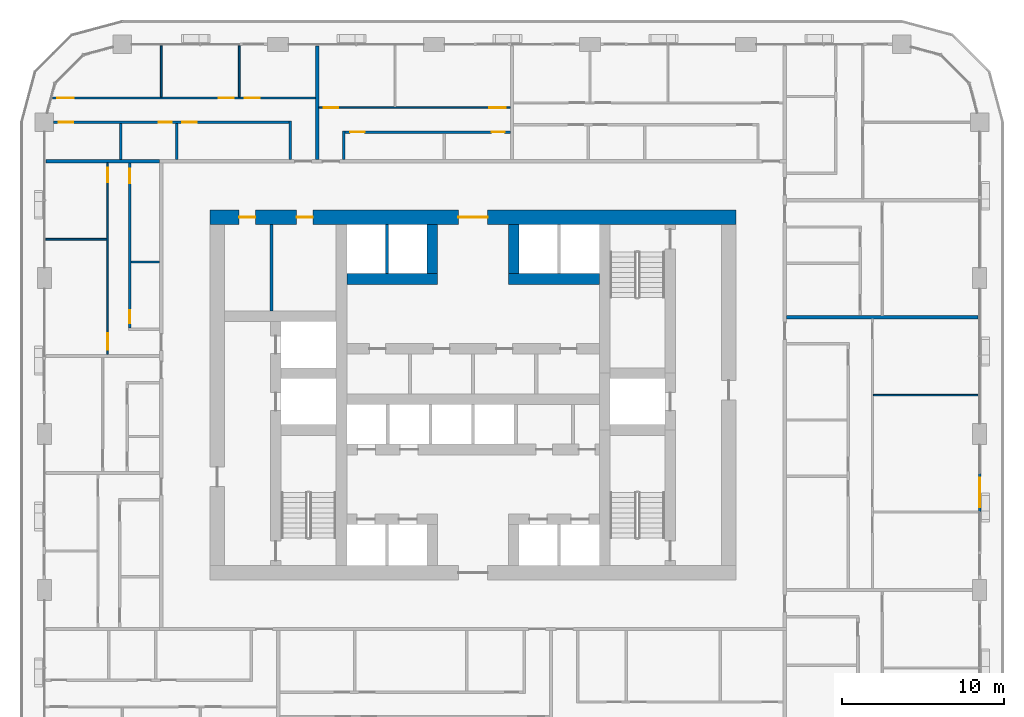
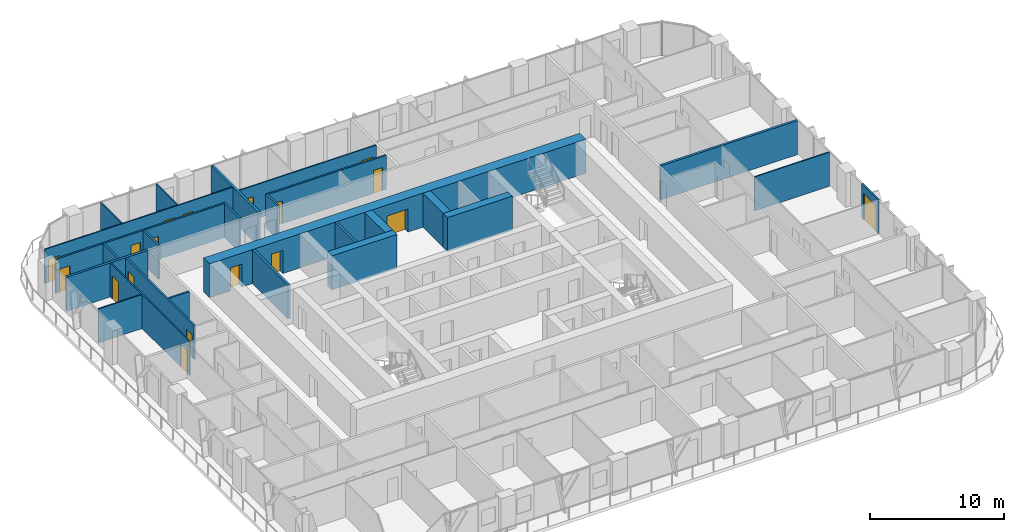
# One storey, part 13 of 21: 26 walls, 18 doors, 18 openings.
"""IFC4 building model written with IfcOpenShell, lengths in metres."""

from ifc_helpers import new_model, si_unit, direction, frame, frame_2d, origin, place, context, subcontext, project, spatial, rectangle, extrude, material, layer, layer_set, type_object, element, fill, save


model = new_model("IFC4")

# Units and contexts
model_context = context("Model", 3, precision=1e-05, world=origin(), true_north=direction((0.0, 1.0)))
body_context = subcontext(model_context, "Body", "Model", "MODEL_VIEW")
ifc_project = project(units=[si_unit("LENGTHUNIT", "METRE"), si_unit("AREAUNIT", "SQUARE_METRE"), si_unit("VOLUMEUNIT", "CUBIC_METRE"), si_unit("PLANEANGLEUNIT", "RADIAN"), si_unit("MASSUNIT", "GRAM", prefix="KILO")], contexts=[model_context])

# Site, building, storey
site_placement = place(None, origin())
site = spatial("IfcSite", under=ifc_project, at=site_placement, CompositionType="ELEMENT")
building_placement = place(site_placement, origin())
building = spatial("IfcBuilding", under=site, at=building_placement, Name="Madar Terraces", CompositionType="ELEMENT")
storey_placement = place(building_placement, frame((0.0, 0.0, 80.300048828125)))
storey = spatial("IfcBuildingStorey", under=building, at=storey_placement, Name="L20", CompositionType="ELEMENT", Elevation=80.300048828125)

# Walls
ifc_material_1 = material(Name="Concrete C80/95", Category="concrete")
ifc_layer_1 = layer(ifc_material_1, 0.64990234375)
ifc_layer_set_1 = layer_set([ifc_layer_1], Name="Concrete C80/95 (CIW2 RC wall 650)")
wall_type_1 = type_object("IfcWallType", Name="CIW2 RC wall 650", PredefinedType="SHEAR", material=ifc_layer_set_1)
wall_1_placement = place(storey_placement, frame((23.425048828125, 33.550048828125, 0.0), z_axis=(0.0, 0.0, 1.0), x_axis=(1.0, 0.0, 0.0)))
element("IfcWall", 1, at=wall_1_placement, inside=storey, type_object=wall_type_1, Name="CORE SHAFT WALL", PredefinedType="SHEAR", context=body_context, shape_type="SweptSolid", body=[
    extrude(rectangle(XDim=5.599853515625, YDim=0.64990234375, at=frame_2d((2.7998046875, 0.0))), origin(), (0.0, 0.0, 1.0), 3.099853515625),
])
wall_2_placement = place(storey_placement, frame((33.375, 33.550048828125, 0.0), z_axis=(0.0, 0.0, 1.0), x_axis=(1.0, 0.0, 0.0)))
element("IfcWall", 2, at=wall_2_placement, inside=storey, type_object=wall_type_1, Name="CORE SHAFT WALL", PredefinedType="SHEAR", context=body_context, shape_type="SweptSolid", body=[
    extrude(rectangle(XDim=5.60009765625, YDim=0.64990234375, at=frame_2d((2.800048828125, 0.0))), origin(), (0.0, 0.0, 1.0), 3.099853515625),
])
for number, where, z_axis, x_axis, name in (
    (3, (28.699951171875, 33.875, 0.0), (0.0, 0.0, 1.0), (0.0, 1.0, 0.0), "CORE SHAFT WALL"),
    (4, (33.699951171875, 33.875, 0.0), (0.0, 0.0, 1.0), (0.0, 1.0, 0.0), "CORE SHAFT WALL"),
):
    element("IfcWall", number, at=place(storey_placement, frame(where, z_axis=z_axis, x_axis=x_axis)), inside=storey, type_object=wall_type_1, Name=name, PredefinedType="SHEAR", context=body_context, shape_type="SweptSolid", body=[
        extrude(rectangle(XDim=3.02490234375, YDim=0.64990234375, at=frame_2d((1.512451171875, 0.0))), origin(), (0.0, 0.0, 1.0), 3.099853515625),
    ])

# Wall, openings, doors
ifc_material_2 = material(Name="Concrete C80/95", Category="concrete")
ifc_layer_2 = layer(ifc_material_2, 0.89990234375)
ifc_layer_set_2 = layer_set([ifc_layer_2], Name="Concrete C80/95 (CRW2 RC wall 900)")
wall_type_2 = type_object("IfcWallType", Name="CRW2 RC wall 900", PredefinedType="SHEAR", material=ifc_layer_set_2)
wall_3_placement = place(storey_placement, frame((15.0, 37.35009765625, 0.0), z_axis=(0.0, 0.0, 1.0), x_axis=(1.0, 0.0, 0.0)))
wall_3 = element("IfcWall", 5, at=wall_3_placement, inside=storey, type_object=wall_type_2, Name="CORE OUTER WALL", PredefinedType="SHEAR", context=body_context, shape_type="SweptSolid", body=[
    extrude(rectangle(XDim=32.39990234375, YDim=0.89990234375, at=frame_2d((16.199951171875, 0.0))), origin(), (0.0, 0.0, 1.0), 3.099853515625),
])
opening_1_placement = place(wall_3_placement, frame((15.300048828125, 0.0, 0.0)))
opening_1 = element("IfcOpeningElement", 6, at=opening_1_placement, cuts=wall_3, Name="Opening KD1", PredefinedType="OPENING", context=body_context, shape_type="SweptSolid", body=[
    extrude(rectangle(XDim=1.800048828125, YDim=2.10009765625, at=frame_2d((0.89990234375, 1.050048828125))), frame((0.0, 0.4599609375, 0.0), z_axis=(0.0, -1.0, 0.0), x_axis=(1.0, 0.0, 0.0)), (0.0, 0.0, 1.0), 0.919921875),
])
opening_2_placement = place(wall_3_placement, frame((1.793701171875, 0.0, 0.0)))
opening_2 = element("IfcOpeningElement", 7, at=opening_2_placement, cuts=wall_3, Name="Opening KD2", PredefinedType="OPENING", context=body_context, shape_type="SweptSolid", body=[
    extrude(rectangle(XDim=1.0, YDim=2.10009765625, at=frame_2d((0.5, 1.050048828125))), frame((0.0, 0.4599609375, 0.0), z_axis=(0.0, -1.0, 0.0), x_axis=(1.0, 0.0, 0.0)), (0.0, 0.0, 1.0), 0.919921875),
])
opening_3_placement = place(wall_3_placement, frame((5.331298828125, 0.0, 0.0)))
opening_3 = element("IfcOpeningElement", 8, at=opening_3_placement, cuts=wall_3, Name="Opening KD2", PredefinedType="OPENING", context=body_context, shape_type="SweptSolid", body=[
    extrude(rectangle(XDim=1.0, YDim=2.10009765625, at=frame_2d((0.5, 1.050048828125))), frame((0.0, 0.4599609375, 0.0), z_axis=(0.0, -1.0, 0.0), x_axis=(1.0, 0.0, 0.0)), (0.0, 0.0, 1.0), 0.919921875),
])
ifc_material_3 = material(Name="Steel door leaf", Category="steel")
door_type_1 = type_object("IfcDoorType", Name="Lobby door pair 1800 x 2100", OperationType="DOUBLE_DOOR_SINGLE_SWING", PredefinedType="DOOR", material=ifc_material_3)
door_1_placement = place(opening_1_placement, origin())
door_1 = element("IfcDoor", 9, at=door_1_placement, inside=storey, type_object=door_type_1, Name="LIFT LOBBY DOOR", OperationType="DOUBLE_DOOR_SINGLE_SWING", OverallHeight=2.10009765625, OverallWidth=1.800048828125, PredefinedType="DOOR", context=body_context, shape_type="SweptSolid", body=[
    extrude(rectangle(XDim=1.800048828125, YDim=2.10009765625, at=frame_2d((0.89990234375, 1.050048828125))), frame((0.0, 0.02490234375, 0.0), z_axis=(0.0, -1.0, 0.0), x_axis=(1.0, 0.0, 0.0)), (0.0, 0.0, 1.0), 0.050048828125),
])
fill(opening_1, door_1)
ifc_material_4 = material(Name="Steel door leaf", Category="steel")
door_type_2 = type_object("IfcDoorType", Name="Service room door 1000 x 2100", OperationType="NOTDEFINED", PredefinedType="DOOR", material=ifc_material_4)
door_2_placement = place(opening_2_placement, origin())
door_2 = element("IfcDoor", 10, at=door_2_placement, inside=storey, type_object=door_type_2, Name="SERVICE ROOM DOOR", OperationType="SINGLE_SWING_LEFT", OverallHeight=2.10009765625, OverallWidth=1.0, PredefinedType="DOOR", context=body_context, shape_type="SweptSolid", body=[
    extrude(rectangle(XDim=1.0, YDim=2.10009765625, at=frame_2d((0.5, 1.050048828125))), frame((0.0, 0.02490234375, 0.0), z_axis=(0.0, -1.0, 0.0), x_axis=(1.0, 0.0, 0.0)), (0.0, 0.0, 1.0), 0.050048828125),
])
fill(opening_2, door_2)
door_3_placement = place(opening_3_placement, origin())
door_3 = element("IfcDoor", 11, at=door_3_placement, inside=storey, type_object=door_type_2, Name="SERVICE ROOM DOOR", OperationType="SINGLE_SWING_RIGHT", OverallHeight=2.10009765625, OverallWidth=1.0, PredefinedType="DOOR", context=body_context, shape_type="SweptSolid", body=[
    extrude(rectangle(XDim=1.0, YDim=2.10009765625, at=frame_2d((0.5, 1.050048828125))), frame((0.0, 0.02490234375, 0.0), z_axis=(0.0, -1.0, 0.0), x_axis=(1.0, 0.0, 0.0)), (0.0, 0.0, 1.0), 0.050048828125),
])
fill(opening_3, door_3)

# Walls
ifc_material_5 = material(Name="Masonry blockwork", Category="masonry")
ifc_layer_3 = layer(ifc_material_5, 0.199951171875)
ifc_layer_set_3 = layer_set([ifc_layer_3], Name="Core partition 200 blockwork")
wall_type_3 = type_object("IfcWallType", Name="Core partition 200 blockwork", PredefinedType="PARTITIONING", material=ifc_layer_set_3)
wall_4_placement = place(storey_placement, frame((18.78759765625, 31.574951171875, 0.0), z_axis=(0.0, 0.0, 1.0), x_axis=(0.0, 1.0, 0.0)))
element("IfcWall", 12, at=wall_4_placement, inside=storey, type_object=wall_type_3, Name="SERVICE ROOM PARTITION", PredefinedType="PARTITIONING", context=body_context, shape_type="SweptSolid", body=[
    extrude(rectangle(XDim=5.324951171875, YDim=0.199951171875, at=frame_2d((2.66259765625, 0.0))), origin(), (0.0, 0.0, 1.0), 3.099853515625),
])
ifc_material_6 = material(Name="Concrete C40/50", Category="concrete")
ifc_layer_4 = layer(ifc_material_6, 0.199951171875)
ifc_layer_set_4 = layer_set([ifc_layer_4], Name="Core shaft dividing wall 200 C40/50")
wall_type_4 = type_object("IfcWallType", Name="Core shaft dividing wall 200 C40/50", PredefinedType="SOLIDWALL", material=ifc_layer_set_4)
wall_5_placement = place(storey_placement, frame((25.89990234375, 33.875, 0.0), z_axis=(0.0, 0.0, 1.0), x_axis=(0.0, 1.0, 0.0)))
element("IfcWall", 13, at=wall_5_placement, inside=storey, type_object=wall_type_4, Name="SHAFT DIVIDING WALL", PredefinedType="SOLIDWALL", context=body_context, shape_type="SweptSolid", body=[
    extrude(rectangle(XDim=3.02490234375, YDim=0.199951171875, at=frame_2d((1.512451171875, 0.0))), origin(), (0.0, 0.0, 1.0), 3.099853515625),
])

# Wall, opening, door
ifc_material_7 = material(Name="Aluminium composite panel, black, over insulated backing", Category="aluminium")
ifc_layer_5 = layer(ifc_material_7, 0.14990234375)
ifc_layer_set_5 = layer_set([ifc_layer_5], Name="Facade bay panel 150")
wall_type_5 = type_object("IfcWallType", Name="Facade bay panel 150", PredefinedType="SOLIDWALL", material=ifc_layer_set_5)
wall_6_placement = place(storey_placement, frame((62.39990234375, 19.199951171875, 0.0), z_axis=(0.0, 0.0, 1.0), x_axis=(0.0, 1.0, 0.0)))
wall_6 = element("IfcWall", 14, at=wall_6_placement, inside=storey, type_object=wall_type_5, Name="Facade bay panel", PredefinedType="SOLIDWALL", context=body_context, shape_type="SweptSolid", body=[
    extrude(rectangle(XDim=2.400146484375, YDim=0.14990234375, at=frame_2d((1.2001953125, 0.0))), origin(), (0.0, 0.0, 1.0), 3.099853515625),
])
opening_4_placement = place(wall_6_placement, frame((0.300048828125, 0.0, 0.0)))
opening_4 = element("IfcOpeningElement", 15, at=opening_4_placement, cuts=wall_6, Name="Opening ED1", PredefinedType="OPENING", context=body_context, shape_type="SweptSolid", body=[
    extrude(rectangle(XDim=1.800048828125, YDim=2.39990234375, at=frame_2d((0.89990234375, 1.199951171875))), frame((0.0, 0.0849609375, 0.0), z_axis=(0.0, -1.0, 0.0), x_axis=(1.0, 0.0, 0.0)), (0.0, 0.0, 1.0), 0.169921875),
])
ifc_material_8 = material(Name="Glass, clear, with black aluminium frame", Category="aluminium")
door_type_3 = type_object("IfcDoorType", Name="Balcony and terrace sliding door 1800 x 2400", OperationType="SLIDING_TO_LEFT", PredefinedType="DOOR", material=ifc_material_8)
door_4_placement = place(opening_4_placement, origin())
door_4 = element("IfcDoor", 16, at=door_4_placement, inside=storey, type_object=door_type_3, Name="Balcony door", OperationType="SLIDING_TO_RIGHT", OverallHeight=2.39990234375, OverallWidth=1.800048828125, PredefinedType="DOOR", context=body_context, shape_type="SweptSolid", body=[
    extrude(rectangle(XDim=1.800048828125, YDim=2.39990234375, at=frame_2d((0.89990234375, 1.199951171875))), frame((0.0, 0.02490234375, 0.0), z_axis=(0.0, -1.0, 0.0), x_axis=(1.0, 0.0, 0.0)), (0.0, 0.0, 1.0), 0.050048828125),
])
fill(opening_4, door_4)

# Wall
ifc_material_9 = material(Name="Gypsum board on steel studs", Category="steel")
ifc_layer_6 = layer(ifc_material_9, 0.10009765625)
ifc_layer_set_6 = layer_set([ifc_layer_6], Name="Flat partition 100")
wall_type_6 = type_object("IfcWallType", Name="Flat partition 100", PredefinedType="PARTITIONING", material=ifc_layer_set_6)
wall_7_placement = place(storey_placement, frame((55.85009765625, 26.39990234375, 0.0), z_axis=(0.0, 0.0, 1.0), x_axis=(1.0, 0.0, 0.0)))
element("IfcWall", 17, at=wall_7_placement, inside=storey, type_object=wall_type_6, Name="Flat partition 100", PredefinedType="PARTITIONING", context=body_context, shape_type="SweptSolid", body=[
    extrude(rectangle(XDim=6.449951171875, YDim=0.10009765625, at=frame_2d((3.22509765625, 0.0))), origin(), (0.0, 0.0, 1.0), 3.099853515625),
])

# Wall, openings, doors
wall_8_placement = place(storey_placement, frame((21.699951171875, 44.10009765625, 0.0), z_axis=(0.0, 0.0, 1.0), x_axis=(1.0, 0.0, 0.0)))
wall_8 = element("IfcWall", 18, at=wall_8_placement, inside=storey, type_object=wall_type_6, Name="Flat partition 100", PredefinedType="PARTITIONING", context=body_context, shape_type="SweptSolid", body=[
    extrude(rectangle(XDim=11.800048828125, YDim=0.10009765625, at=frame_2d((5.89990234375, 0.0))), origin(), (0.0, 0.0, 1.0), 3.099853515625),
])
opening_5_placement = place(wall_8_placement, frame((0.300048828125, 0.0, 0.0)))
opening_5 = element("IfcOpeningElement", 19, at=opening_5_placement, cuts=wall_8, Name="Opening D2", PredefinedType="OPENING", context=body_context, shape_type="SweptSolid", body=[
    extrude(rectangle(XDim=0.89990234375, YDim=2.10009765625, at=frame_2d((0.449951171875, 1.050048828125))), frame((0.0, 0.06005859375, 0.0), z_axis=(0.0, -1.0, 0.0), x_axis=(1.0, 0.0, 0.0)), (0.0, 0.0, 1.0), 0.1201171875),
])
opening_6_placement = place(wall_8_placement, frame((10.5, 0.0, 0.0)))
opening_6 = element("IfcOpeningElement", 20, at=opening_6_placement, cuts=wall_8, Name="Opening D3", PredefinedType="OPENING", context=body_context, shape_type="SweptSolid", body=[
    extrude(rectangle(XDim=1.0, YDim=2.10009765625, at=frame_2d((0.5, 1.050048828125))), frame((0.0, 0.06005859375, 0.0), z_axis=(0.0, -1.0, 0.0), x_axis=(1.0, 0.0, 0.0)), (0.0, 0.0, 1.0), 0.1201171875),
])
ifc_material_10 = material(Name="Timber door leaf", Category="wood")
door_type_4 = type_object("IfcDoorType", Name="Flat living room door 1000", OperationType="NOTDEFINED", PredefinedType="DOOR", material=ifc_material_10)
door_5_placement = place(opening_6_placement, origin())
door_5 = element("IfcDoor", 21, at=door_5_placement, inside=storey, type_object=door_type_4, Name="Flat living room door 1000", OperationType="SINGLE_SWING_RIGHT", OverallHeight=2.10009765625, OverallWidth=1.0, PredefinedType="DOOR", context=body_context, shape_type="SweptSolid", body=[
    extrude(rectangle(XDim=1.0, YDim=2.10009765625, at=frame_2d((0.5, 1.050048828125))), frame((0.0, 0.02490234375, 0.0), z_axis=(0.0, -1.0, 0.0), x_axis=(1.0, 0.0, 0.0)), (0.0, 0.0, 1.0), 0.050048828125),
])
fill(opening_6, door_5)
ifc_material_11 = material(Name="Timber door leaf", Category="wood")
door_type_5 = type_object("IfcDoorType", Name="Flat room door 900", OperationType="NOTDEFINED", PredefinedType="DOOR", material=ifc_material_11)
door_6_placement = place(opening_5_placement, origin())
door_6 = element("IfcDoor", 22, at=door_6_placement, inside=storey, type_object=door_type_5, Name="Flat room door 900", OperationType="SINGLE_SWING_LEFT", OverallHeight=2.10009765625, OverallWidth=0.89990234375, PredefinedType="DOOR", context=body_context, shape_type="SweptSolid", body=[
    extrude(rectangle(XDim=0.89990234375, YDim=2.10009765625, at=frame_2d((0.449951171875, 1.050048828125))), frame((0.0, 0.02490234375, 0.0), z_axis=(0.0, -1.0, 0.0), x_axis=(1.0, 0.0, 0.0)), (0.0, 0.0, 1.0), 0.050048828125),
])
fill(opening_5, door_6)

# Walls
for number, where, z_axis, x_axis, name in (
    (23, (16.800048828125, 44.75, 0.0), (0.0, 0.0, 1.0), (0.0, 1.0, 0.0), "Flat partition 100"),
    (24, (12.0, 44.75, 0.0), (0.0, 0.0, 1.0), (0.0, 1.0, 0.0), "Flat partition 100"),
):
    element("IfcWall", number, at=place(storey_placement, frame(where, z_axis=z_axis, x_axis=x_axis)), inside=storey, type_object=wall_type_6, Name=name, PredefinedType="PARTITIONING", context=body_context, shape_type="SweptSolid", body=[
        extrude(rectangle(XDim=3.14990234375, YDim=0.10009765625, at=frame_2d((1.574951171875, 0.0))), origin(), (0.0, 0.0, 1.0), 3.099853515625),
    ])

# Wall, openings, doors
wall_9_placement = place(storey_placement, frame((5.302001953125, 44.699951171875, 0.0), z_axis=(0.0, 0.0, 1.0), x_axis=(1.0, 0.0, 0.0)))
wall_9 = element("IfcWall", 25, at=wall_9_placement, inside=storey, type_object=wall_type_6, Name="Flat partition 100", PredefinedType="PARTITIONING", context=body_context, shape_type="SweptSolid", body=[
    extrude(rectangle(XDim=16.197998046875, YDim=0.10009765625, at=frame_2d((8.09912109375, 0.0))), origin(), (0.0, 0.0, 1.0), 3.099853515625),
])
opening_7_placement = place(wall_9_placement, frame((11.84814453125, 0.0, 0.0)))
opening_7 = element("IfcOpeningElement", 26, at=opening_7_placement, cuts=wall_9, Name="Opening D2", PredefinedType="OPENING", context=body_context, shape_type="SweptSolid", body=[
    extrude(rectangle(XDim=0.89990234375, YDim=2.10009765625, at=frame_2d((0.449951171875, 1.050048828125))), frame((0.0, 0.06005859375, 0.0), z_axis=(0.0, -1.0, 0.0), x_axis=(1.0, 0.0, 0.0)), (0.0, 0.0, 1.0), 0.1201171875),
])
opening_8_placement = place(wall_9_placement, frame((10.248046875, 0.0, 0.0)))
opening_8 = element("IfcOpeningElement", 27, at=opening_8_placement, cuts=wall_9, Name="Opening D2", PredefinedType="OPENING", context=body_context, shape_type="SweptSolid", body=[
    extrude(rectangle(XDim=0.89990234375, YDim=2.10009765625, at=frame_2d((0.449951171875, 1.050048828125))), frame((0.0, 0.06005859375, 0.0), z_axis=(0.0, -1.0, 0.0), x_axis=(1.0, 0.0, 0.0)), (0.0, 0.0, 1.0), 0.1201171875),
])
opening_9_placement = place(wall_9_placement, frame((0.300048828125, 0.0, 0.0)))
opening_9 = element("IfcOpeningElement", 28, at=opening_9_placement, cuts=wall_9, Name="Opening D3", PredefinedType="OPENING", context=body_context, shape_type="SweptSolid", body=[
    extrude(rectangle(XDim=1.0, YDim=2.10009765625, at=frame_2d((0.5, 1.050048828125))), frame((0.0, 0.06005859375, 0.0), z_axis=(0.0, -1.0, 0.0), x_axis=(1.0, 0.0, 0.0)), (0.0, 0.0, 1.0), 0.1201171875),
])
door_7_placement = place(opening_9_placement, origin())
door_7 = element("IfcDoor", 29, at=door_7_placement, inside=storey, type_object=door_type_4, Name="Flat living room door 1000", OperationType="SINGLE_SWING_LEFT", OverallHeight=2.10009765625, OverallWidth=1.0, PredefinedType="DOOR", context=body_context, shape_type="SweptSolid", body=[
    extrude(rectangle(XDim=1.0, YDim=2.10009765625, at=frame_2d((0.5, 1.050048828125))), frame((0.0, 0.02490234375, 0.0), z_axis=(0.0, -1.0, 0.0), x_axis=(1.0, 0.0, 0.0)), (0.0, 0.0, 1.0), 0.050048828125),
])
fill(opening_9, door_7)
door_8_placement = place(opening_7_placement, origin())
door_8 = element("IfcDoor", 30, at=door_8_placement, inside=storey, type_object=door_type_5, Name="Flat room door 900", OperationType="SINGLE_SWING_LEFT", OverallHeight=2.10009765625, OverallWidth=0.89990234375, PredefinedType="DOOR", context=body_context, shape_type="SweptSolid", body=[
    extrude(rectangle(XDim=0.89990234375, YDim=2.10009765625, at=frame_2d((0.449951171875, 1.050048828125))), frame((0.0, 0.02490234375, 0.0), z_axis=(0.0, -1.0, 0.0), x_axis=(1.0, 0.0, 0.0)), (0.0, 0.0, 1.0), 0.050048828125),
])
fill(opening_7, door_8)
door_9_placement = place(opening_8_placement, origin())
door_9 = element("IfcDoor", 31, at=door_9_placement, inside=storey, type_object=door_type_5, Name="Flat room door 900", OperationType="SINGLE_SWING_RIGHT", OverallHeight=2.10009765625, OverallWidth=0.89990234375, PredefinedType="DOOR", context=body_context, shape_type="SweptSolid", body=[
    extrude(rectangle(XDim=0.89990234375, YDim=2.10009765625, at=frame_2d((0.449951171875, 1.050048828125))), frame((0.0, 0.02490234375, 0.0), z_axis=(0.0, -1.0, 0.0), x_axis=(1.0, 0.0, 0.0)), (0.0, 0.0, 1.0), 0.050048828125),
])
fill(opening_8, door_9)

# Wall
wall_10_placement = place(storey_placement, frame((8.64990234375, 36.0, 0.0), z_axis=(0.0, 0.0, 1.0), x_axis=(-1.0, 0.0, 0.0)))
element("IfcWall", 32, at=wall_10_placement, inside=storey, type_object=wall_type_6, Name="Flat partition 100", PredefinedType="PARTITIONING", context=body_context, shape_type="SweptSolid", body=[
    extrude(rectangle(XDim=3.75, YDim=0.10009765625, at=frame_2d((1.875, 0.0))), origin(), (0.0, 0.0, 1.0), 3.099853515625),
])

# Wall, openings, doors
wall_11_placement = place(storey_placement, frame((8.699951171875, 28.89990234375, 0.0), z_axis=(0.0, 0.0, 1.0), x_axis=(0.0, 1.0, 0.0)))
wall_11 = element("IfcWall", 33, at=wall_11_placement, inside=storey, type_object=wall_type_6, Name="Flat partition 100", PredefinedType="PARTITIONING", context=body_context, shape_type="SweptSolid", body=[
    extrude(rectangle(XDim=11.800048828125, YDim=0.10009765625, at=frame_2d((5.89990234375, 0.0))), origin(), (0.0, 0.0, 1.0), 3.099853515625),
])
opening_10_placement = place(wall_11_placement, frame((0.300048828125, 0.0, 0.0)))
opening_10 = element("IfcOpeningElement", 34, at=opening_10_placement, cuts=wall_11, Name="Opening D3", PredefinedType="OPENING", context=body_context, shape_type="SweptSolid", body=[
    extrude(rectangle(XDim=1.0, YDim=2.10009765625, at=frame_2d((0.5, 1.050048828125))), frame((0.0, 0.06005859375, 0.0), z_axis=(0.0, -1.0, 0.0), x_axis=(1.0, 0.0, 0.0)), (0.0, 0.0, 1.0), 0.1201171875),
])
opening_11_placement = place(wall_11_placement, frame((10.60009765625, 0.0, 0.0)))
opening_11 = element("IfcOpeningElement", 35, at=opening_11_placement, cuts=wall_11, Name="Opening D2", PredefinedType="OPENING", context=body_context, shape_type="SweptSolid", body=[
    extrude(rectangle(XDim=0.89990234375, YDim=2.10009765625, at=frame_2d((0.449951171875, 1.050048828125))), frame((0.0, 0.06005859375, 0.0), z_axis=(0.0, -1.0, 0.0), x_axis=(1.0, 0.0, 0.0)), (0.0, 0.0, 1.0), 0.1201171875),
])
door_10_placement = place(opening_10_placement, origin())
door_10 = element("IfcDoor", 36, at=door_10_placement, inside=storey, type_object=door_type_4, Name="Flat living room door 1000", OperationType="SINGLE_SWING_LEFT", OverallHeight=2.10009765625, OverallWidth=1.0, PredefinedType="DOOR", context=body_context, shape_type="SweptSolid", body=[
    extrude(rectangle(XDim=1.0, YDim=2.10009765625, at=frame_2d((0.5, 1.050048828125))), frame((0.0, 0.02490234375, 0.0), z_axis=(0.0, -1.0, 0.0), x_axis=(1.0, 0.0, 0.0)), (0.0, 0.0, 1.0), 0.050048828125),
])
fill(opening_10, door_10)
door_11_placement = place(opening_11_placement, origin())
door_11 = element("IfcDoor", 37, at=door_11_placement, inside=storey, type_object=door_type_5, Name="Flat room door 900", OperationType="SINGLE_SWING_RIGHT", OverallHeight=2.10009765625, OverallWidth=0.89990234375, PredefinedType="DOOR", context=body_context, shape_type="SweptSolid", body=[
    extrude(rectangle(XDim=0.89990234375, YDim=2.10009765625, at=frame_2d((0.449951171875, 1.050048828125))), frame((0.0, 0.02490234375, 0.0), z_axis=(0.0, -1.0, 0.0), x_axis=(1.0, 0.0, 0.0)), (0.0, 0.0, 1.0), 0.050048828125),
])
fill(opening_11, door_11)

# Walls
ifc_material_12 = material(Name="Lightweight blockwork", Category="masonry")
ifc_layer_7 = layer(ifc_material_12, 0.199951171875)
ifc_layer_set_7 = layer_set([ifc_layer_7], Name="Flat party and entrance wall 200")
wall_type_7 = type_object("IfcWallType", Name="Flat party and entrance wall 200", PredefinedType="PARTITIONING", material=ifc_layer_set_7)
wall_12_placement = place(storey_placement, frame((50.5, 31.199951171875, 0.0), z_axis=(0.0, 0.0, 1.0), x_axis=(1.0, 0.0, 0.0)))
element("IfcWall", 38, at=wall_12_placement, inside=storey, type_object=wall_type_7, Name="Flat party and entrance wall 200", PredefinedType="PARTITIONING", context=body_context, shape_type="SweptSolid", body=[
    extrude(rectangle(XDim=11.800048828125, YDim=0.199951171875, at=frame_2d((5.89990234375, 0.0))), origin(), (0.0, 0.0, 1.0), 3.099853515625),
])
for number, where, z_axis, x_axis, name in (
    (39, (21.60009765625, 47.89990234375, 0.0), (0.0, 0.0, 1.0), (0.0, -1.0, 0.0), "Flat party and entrance wall 200"),
    (40, (4.89990234375, 40.800048828125, 0.0), (0.0, 0.0, 1.0), (1.0, 0.0, 0.0), "Flat party and entrance wall 200"),
):
    element("IfcWall", number, at=place(storey_placement, frame(where, z_axis=z_axis, x_axis=x_axis)), inside=storey, type_object=wall_type_7, Name=name, PredefinedType="PARTITIONING", context=body_context, shape_type="SweptSolid", body=[
        extrude(rectangle(XDim=7.0, YDim=0.199951171875, at=frame_2d((3.5, 0.0))), origin(), (0.0, 0.0, 1.0), 3.099853515625),
    ])
ifc_material_13 = material(Name="Lightweight blockwork", Category="masonry")
ifc_layer_8 = layer(ifc_material_13, 0.14990234375)
ifc_layer_set_8 = layer_set([ifc_layer_8], Name="Flat wet-room partition 150")
wall_type_8 = type_object("IfcWallType", Name="Flat wet-room partition 150", PredefinedType="PARTITIONING", material=ifc_layer_set_8)
wall_13_placement = place(storey_placement, frame((23.25, 40.89990234375, 0.0), z_axis=(0.0, 0.0, 1.0), x_axis=(0.0, 1.0, 0.0)))
element("IfcWall", 41, at=wall_13_placement, inside=storey, type_object=wall_type_8, Name="Flat wet-room partition 150", PredefinedType="PARTITIONING", context=body_context, shape_type="SweptSolid", body=[
    extrude(rectangle(XDim=1.775146484375, YDim=0.14990234375, at=frame_2d((0.8876953125, 0.0))), origin(), (0.0, 0.0, 1.0), 3.099853515625),
])

# Wall, openings, doors
wall_14_placement = place(storey_placement, frame((33.5, 42.60009765625, 0.0), z_axis=(0.0, 0.0, 1.0), x_axis=(-1.0, 0.0, 0.0)))
wall_14 = element("IfcWall", 42, at=wall_14_placement, inside=storey, type_object=wall_type_8, Name="Flat wet-room partition 150", PredefinedType="PARTITIONING", context=body_context, shape_type="SweptSolid", body=[
    extrude(rectangle(XDim=10.175048828125, YDim=0.14990234375, at=frame_2d((5.08740234375, 0.0))), origin(), (0.0, 0.0, 1.0), 3.099853515625),
])
opening_12_placement = place(wall_14_placement, frame((8.97509765625, 0.0, 0.0)))
opening_12 = element("IfcOpeningElement", 43, at=opening_12_placement, cuts=wall_14, Name="Opening D2", PredefinedType="OPENING", context=body_context, shape_type="SweptSolid", body=[
    extrude(rectangle(XDim=0.89990234375, YDim=2.10009765625, at=frame_2d((0.449951171875, 1.050048828125))), frame((0.0, 0.0849609375, 0.0), z_axis=(0.0, -1.0, 0.0), x_axis=(1.0, 0.0, 0.0)), (0.0, 0.0, 1.0), 0.169921875),
])
opening_13_placement = place(wall_14_placement, frame((0.35009765625, 0.0, 0.0)))
opening_13 = element("IfcOpeningElement", 44, at=opening_13_placement, cuts=wall_14, Name="Opening D4", PredefinedType="OPENING", context=body_context, shape_type="SweptSolid", body=[
    extrude(rectangle(XDim=0.800048828125, YDim=2.10009765625, at=frame_2d((0.39990234375, 1.050048828125))), frame((0.0, 0.0849609375, 0.0), z_axis=(0.0, -1.0, 0.0), x_axis=(1.0, 0.0, 0.0)), (0.0, 0.0, 1.0), 0.169921875),
])
ifc_material_14 = material(Name="Timber door leaf", Category="wood")
door_type_6 = type_object("IfcDoorType", Name="Flat bathroom door 800", OperationType="NOTDEFINED", PredefinedType="DOOR", material=ifc_material_14)
door_12_placement = place(opening_13_placement, origin())
door_12 = element("IfcDoor", 45, at=door_12_placement, inside=storey, type_object=door_type_6, Name="Flat bathroom door 800", OperationType="SINGLE_SWING_LEFT", OverallHeight=2.10009765625, OverallWidth=0.800048828125, PredefinedType="DOOR", context=body_context, shape_type="SweptSolid", body=[
    extrude(rectangle(XDim=0.800048828125, YDim=2.10009765625, at=frame_2d((0.39990234375, 1.050048828125))), frame((0.0, 0.02490234375, 0.0), z_axis=(0.0, -1.0, 0.0), x_axis=(1.0, 0.0, 0.0)), (0.0, 0.0, 1.0), 0.050048828125),
])
fill(opening_13, door_12)
door_13_placement = place(opening_12_placement, origin())
door_13 = element("IfcDoor", 46, at=door_13_placement, inside=storey, type_object=door_type_5, Name="Flat room door 900", OperationType="SINGLE_SWING_RIGHT", OverallHeight=2.10009765625, OverallWidth=0.89990234375, PredefinedType="DOOR", context=body_context, shape_type="SweptSolid", body=[
    extrude(rectangle(XDim=0.89990234375, YDim=2.10009765625, at=frame_2d((0.449951171875, 1.050048828125))), frame((0.0, 0.02490234375, 0.0), z_axis=(0.0, -1.0, 0.0), x_axis=(1.0, 0.0, 0.0)), (0.0, 0.0, 1.0), 0.050048828125),
])
fill(opening_12, door_13)

# Walls
for number, where, z_axis, x_axis, name in (
    (47, (12.96337890625, 40.89990234375, 0.0), (0.0, 0.0, 1.0), (0.0, 1.0, 0.0), "Flat wet-room partition 150"),
    (48, (9.5078125, 40.89990234375, 0.0), (0.0, 0.0, 1.0), (0.0, 1.0, 0.0), "Flat wet-room partition 150"),
):
    element("IfcWall", number, at=place(storey_placement, frame(where, z_axis=z_axis, x_axis=x_axis)), inside=storey, type_object=wall_type_8, Name=name, PredefinedType="PARTITIONING", context=body_context, shape_type="SweptSolid", body=[
        extrude(rectangle(XDim=2.22509765625, YDim=0.14990234375, at=frame_2d((1.112548828125, 0.0))), origin(), (0.0, 0.0, 1.0), 3.099853515625),
    ])
wall_15_placement = place(storey_placement, frame((19.949951171875, 40.89990234375, 0.0), z_axis=(0.0, 0.0, 1.0), x_axis=(0.0, 1.0, 0.0)))
element("IfcWall", 49, at=wall_15_placement, inside=storey, type_object=wall_type_8, Name="Flat wet-room partition 150", PredefinedType="PARTITIONING", context=body_context, shape_type="SweptSolid", body=[
    extrude(rectangle(XDim=2.375, YDim=0.14990234375, at=frame_2d((1.1875, 0.0))), origin(), (0.0, 0.0, 1.0), 3.099853515625),
])

# Wall, openings, doors
wall_16_placement = place(storey_placement, frame((19.875, 43.199951171875, 0.0), z_axis=(0.0, 0.0, 1.0), x_axis=(-1.0, 0.0, 0.0)))
wall_16 = element("IfcWall", 50, at=wall_16_placement, inside=storey, type_object=wall_type_8, Name="Flat wet-room partition 150", PredefinedType="PARTITIONING", context=body_context, shape_type="SweptSolid", body=[
    extrude(rectangle(XDim=14.5, YDim=0.14990234375, at=frame_2d((7.25, 0.0))), origin(), (0.0, 0.0, 1.0), 3.099853515625),
])
opening_14_placement = place(wall_16_placement, frame((5.6865234375, 0.0, 0.0)))
opening_14 = element("IfcOpeningElement", 51, at=opening_14_placement, cuts=wall_16, Name="Opening D2", PredefinedType="OPENING", context=body_context, shape_type="SweptSolid", body=[
    extrude(rectangle(XDim=0.89990234375, YDim=2.10009765625, at=frame_2d((0.449951171875, 1.050048828125))), frame((0.0, 0.0849609375, 0.0), z_axis=(0.0, -1.0, 0.0), x_axis=(1.0, 0.0, 0.0)), (0.0, 0.0, 1.0), 0.169921875),
])
opening_15_placement = place(wall_16_placement, frame((7.236572265625, 0.0, 0.0)))
opening_15 = element("IfcOpeningElement", 52, at=opening_15_placement, cuts=wall_16, Name="Opening D4", PredefinedType="OPENING", context=body_context, shape_type="SweptSolid", body=[
    extrude(rectangle(XDim=0.800048828125, YDim=2.10009765625, at=frame_2d((0.39990234375, 1.050048828125))), frame((0.0, 0.0849609375, 0.0), z_axis=(0.0, -1.0, 0.0), x_axis=(1.0, 0.0, 0.0)), (0.0, 0.0, 1.0), 0.169921875),
])
opening_16_placement = place(wall_16_placement, frame((13.300048828125, 0.0, 0.0)))
opening_16 = element("IfcOpeningElement", 53, at=opening_16_placement, cuts=wall_16, Name="Opening D5", PredefinedType="OPENING", context=body_context, shape_type="SweptSolid", body=[
    extrude(rectangle(XDim=0.89990234375, YDim=2.10009765625, at=frame_2d((0.449951171875, 1.050048828125))), frame((0.0, 0.0849609375, 0.0), z_axis=(0.0, -1.0, 0.0), x_axis=(1.0, 0.0, 0.0)), (0.0, 0.0, 1.0), 0.169921875),
])
ifc_material_15 = material(Name="Timber door leaf", Category="wood")
door_type_7 = type_object("IfcDoorType", Name="Flat accessible bathroom door 900", OperationType="NOTDEFINED", PredefinedType="DOOR", material=ifc_material_15)
door_14_placement = place(opening_16_placement, origin())
door_14 = element("IfcDoor", 54, at=door_14_placement, inside=storey, type_object=door_type_7, Name="Flat accessible bathroom door 900", OperationType="SINGLE_SWING_RIGHT", OverallHeight=2.10009765625, OverallWidth=0.89990234375, PredefinedType="DOOR", context=body_context, shape_type="SweptSolid", body=[
    extrude(rectangle(XDim=0.89990234375, YDim=2.10009765625, at=frame_2d((0.449951171875, 1.050048828125))), frame((0.0, 0.02490234375, 0.0), z_axis=(0.0, -1.0, 0.0), x_axis=(1.0, 0.0, 0.0)), (0.0, 0.0, 1.0), 0.050048828125),
])
fill(opening_16, door_14)
door_15_placement = place(opening_15_placement, origin())
door_15 = element("IfcDoor", 55, at=door_15_placement, inside=storey, type_object=door_type_6, Name="Flat bathroom door 800", OperationType="SINGLE_SWING_LEFT", OverallHeight=2.10009765625, OverallWidth=0.800048828125, PredefinedType="DOOR", context=body_context, shape_type="SweptSolid", body=[
    extrude(rectangle(XDim=0.800048828125, YDim=2.10009765625, at=frame_2d((0.39990234375, 1.050048828125))), frame((0.0, 0.02490234375, 0.0), z_axis=(0.0, -1.0, 0.0), x_axis=(1.0, 0.0, 0.0)), (0.0, 0.0, 1.0), 0.050048828125),
])
fill(opening_15, door_15)
door_16_placement = place(opening_14_placement, origin())
door_16 = element("IfcDoor", 56, at=door_16_placement, inside=storey, type_object=door_type_5, Name="Flat room door 900", OperationType="SINGLE_SWING_RIGHT", OverallHeight=2.10009765625, OverallWidth=0.89990234375, PredefinedType="DOOR", context=body_context, shape_type="SweptSolid", body=[
    extrude(rectangle(XDim=0.89990234375, YDim=2.10009765625, at=frame_2d((0.449951171875, 1.050048828125))), frame((0.0, 0.02490234375, 0.0), z_axis=(0.0, -1.0, 0.0), x_axis=(1.0, 0.0, 0.0)), (0.0, 0.0, 1.0), 0.050048828125),
])
fill(opening_14, door_16)

# Wall
wall_17_placement = place(storey_placement, frame((11.89990234375, 34.594970703125, 0.0), z_axis=(0.0, 0.0, 1.0), x_axis=(-1.0, 0.0, 0.0)))
element("IfcWall", 57, at=wall_17_placement, inside=storey, type_object=wall_type_8, Name="Flat wet-room partition 150", PredefinedType="PARTITIONING", context=body_context, shape_type="SweptSolid", body=[
    extrude(rectangle(XDim=1.77490234375, YDim=0.14990234375, at=frame_2d((0.887451171875, 0.0))), origin(), (0.0, 0.0, 1.0), 3.099853515625),
])

# Wall, openings, doors
wall_18_placement = place(storey_placement, frame((10.050048828125, 40.699951171875, 0.0), z_axis=(0.0, 0.0, 1.0), x_axis=(0.0, -1.0, 0.0)))
wall_18 = element("IfcWall", 58, at=wall_18_placement, inside=storey, type_object=wall_type_8, Name="Flat wet-room partition 150", PredefinedType="PARTITIONING", context=body_context, shape_type="SweptSolid", body=[
    extrude(rectangle(XDim=10.175048828125, YDim=0.14990234375, at=frame_2d((5.08740234375, 0.0))), origin(), (0.0, 0.0, 1.0), 3.099853515625),
])
opening_17_placement = place(wall_18_placement, frame((9.074951171875, 0.0, 0.0)))
opening_17 = element("IfcOpeningElement", 59, at=opening_17_placement, cuts=wall_18, Name="Opening D4", PredefinedType="OPENING", context=body_context, shape_type="SweptSolid", body=[
    extrude(rectangle(XDim=0.800048828125, YDim=2.10009765625, at=frame_2d((0.39990234375, 1.050048828125))), frame((0.0, 0.0849609375, 0.0), z_axis=(0.0, -1.0, 0.0), x_axis=(1.0, 0.0, 0.0)), (0.0, 0.0, 1.0), 0.169921875),
])
opening_18_placement = place(wall_18_placement, frame((0.35009765625, 0.0, 0.0)))
opening_18 = element("IfcOpeningElement", 60, at=opening_18_placement, cuts=wall_18, Name="Opening D2", PredefinedType="OPENING", context=body_context, shape_type="SweptSolid", body=[
    extrude(rectangle(XDim=0.89990234375, YDim=2.10009765625, at=frame_2d((0.449951171875, 1.050048828125))), frame((0.0, 0.0849609375, 0.0), z_axis=(0.0, -1.0, 0.0), x_axis=(1.0, 0.0, 0.0)), (0.0, 0.0, 1.0), 0.169921875),
])
door_17_placement = place(opening_17_placement, origin())
door_17 = element("IfcDoor", 61, at=door_17_placement, inside=storey, type_object=door_type_6, Name="Flat bathroom door 800", OperationType="SINGLE_SWING_RIGHT", OverallHeight=2.10009765625, OverallWidth=0.800048828125, PredefinedType="DOOR", context=body_context, shape_type="SweptSolid", body=[
    extrude(rectangle(XDim=0.800048828125, YDim=2.10009765625, at=frame_2d((0.39990234375, 1.050048828125))), frame((0.0, 0.02490234375, 0.0), z_axis=(0.0, -1.0, 0.0), x_axis=(1.0, 0.0, 0.0)), (0.0, 0.0, 1.0), 0.050048828125),
])
fill(opening_17, door_17)
door_18_placement = place(opening_18_placement, origin())
door_18 = element("IfcDoor", 62, at=door_18_placement, inside=storey, type_object=door_type_5, Name="Flat room door 900", OperationType="SINGLE_SWING_LEFT", OverallHeight=2.10009765625, OverallWidth=0.89990234375, PredefinedType="DOOR", context=body_context, shape_type="SweptSolid", body=[
    extrude(rectangle(XDim=0.89990234375, YDim=2.10009765625, at=frame_2d((0.449951171875, 1.050048828125))), frame((0.0, 0.02490234375, 0.0), z_axis=(0.0, -1.0, 0.0), x_axis=(1.0, 0.0, 0.0)), (0.0, 0.0, 1.0), 0.050048828125),
])
fill(opening_18, door_18)

save(model, "model.ifc")
